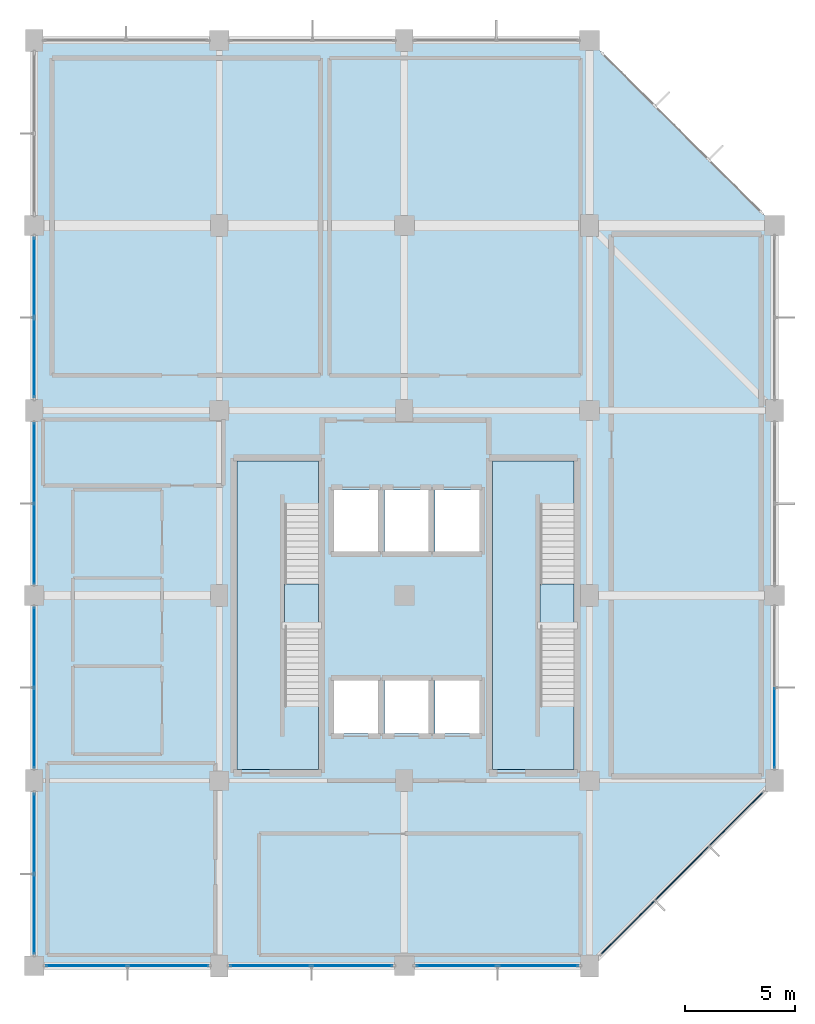
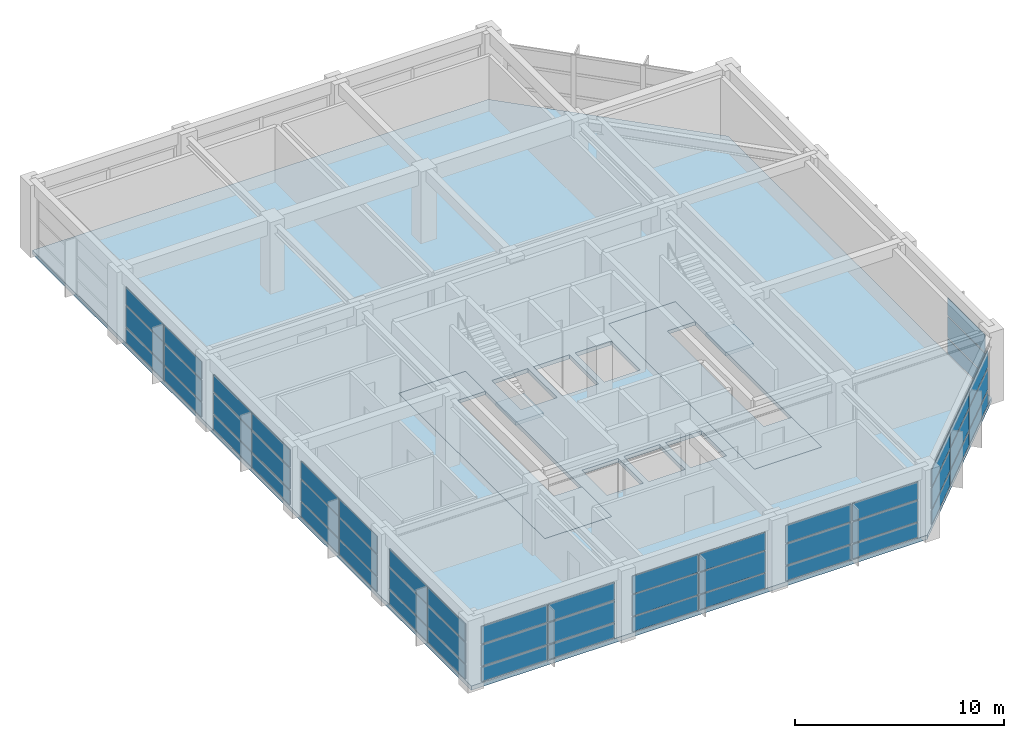
# One storey, part 8 of 12: 54 plates, 5 slabs, 11 elements without a shape of their own.
"""IFC4 building model written with IfcOpenShell, lengths in metres."""

from ifc_helpers import new_model, si_unit, direction, frame, origin, origin_2d, place, context, subcontext, project, spatial, polyline, rectangle, outline, extrude, material, layer, layer_set, type_object, element, aggregate, save


model = new_model("IFC4")

# Units and contexts
model_context = context("Model", 3, precision=1e-05, world=origin(), true_north=direction((0.0, 1.0)))
body_context = subcontext(model_context, "Body", "Model", "MODEL_VIEW")
ifc_project = project(units=[si_unit("LENGTHUNIT", "METRE"), si_unit("AREAUNIT", "SQUARE_METRE"), si_unit("VOLUMEUNIT", "CUBIC_METRE"), si_unit("PLANEANGLEUNIT", "RADIAN"), si_unit("MASSUNIT", "GRAM", prefix="KILO")], contexts=[model_context])

# Site, building, storey
site_placement = place(None, origin())
site = spatial("IfcSite", under=ifc_project, at=site_placement, CompositionType="ELEMENT")
building_placement = place(site_placement, origin())
building = spatial("IfcBuilding", under=site, at=building_placement, Name="Xuanlan Plaza Opera House", CompositionType="ELEMENT")
storey_placement = place(building_placement, frame((0.0, 0.0, 65.699951171875)))
storey = spatial("IfcBuildingStorey", under=building, at=storey_placement, Name="L15", CompositionType="ELEMENT", Elevation=65.699951171875)

# Curtain wall, plates
ifc_material_1 = material(Name="Anodised Aluminium 6063-T6 and Low-E Glass", Category="aluminium")
curtain_wall_type_1 = type_object("IfcCurtainWallType", Name="ENV-CW-CW-04", PredefinedType="USERDEFINED", material=ifc_material_1)
curtain_wall_1_placement = place(storey_placement, origin())
curtain_wall_1 = element("IfcCurtainWall", 1, at=curtain_wall_1_placement, inside=storey, type_object=curtain_wall_type_1, Name="Unitised Curtain Wall L15-003", ObjectType="UNITISED CURTAIN WALL", PredefinedType="USERDEFINED")
ifc_material_2 = material(Name="Laminated Acoustic Double Glazing", Category="glass")
ifc_layer_1 = layer(ifc_material_2, 0.028076171875)
ifc_layer_set_1 = layer_set([ifc_layer_1], Name="Laminated Acoustic Double Glazing")
plate_type_1 = type_object("IfcPlateType", Name="ENV-CWP-01", PredefinedType="CURTAIN_PANEL", material=ifc_layer_set_1)
plate_1_placement = place(storey_placement, frame((145.169921875, 42.0, 0.0751953125), z_axis=(0.0, 0.0, 1.0), x_axis=(1.0, 0.0, 0.0)))
plate_1 = element("IfcPlate", 2, at=plate_1_placement, type_object=plate_type_1, Name="CW-04 panel 1.1", PredefinedType="CURTAIN_PANEL", context=body_context, shape_type="SweptSolid", body=[
    extrude(rectangle(XDim=3.6201171875, YDim=0.028076171875, at=origin_2d()), origin(), (0.0, 0.0, 1.0), 0.83740234375),
])
plate_2_placement = place(storey_placement, frame((145.169921875, 42.0, 0.987548828125), z_axis=(0.0, 0.0, 1.0), x_axis=(1.0, 0.0, 0.0)))
plate_2 = element("IfcPlate", 3, at=plate_2_placement, type_object=plate_type_1, Name="CW-04 panel 1.2", PredefinedType="CURTAIN_PANEL", context=body_context, shape_type="SweptSolid", body=[
    extrude(rectangle(XDim=3.6201171875, YDim=0.028076171875, at=origin_2d()), origin(), (0.0, 0.0, 1.0), 1.22509765625),
])
plate_3_placement = place(storey_placement, frame((145.169921875, 42.0, 2.28759765625), z_axis=(0.0, 0.0, 1.0), x_axis=(1.0, 0.0, 0.0)))
plate_3 = element("IfcPlate", 4, at=plate_3_placement, type_object=plate_type_1, Name="CW-04 panel 1.3", PredefinedType="CURTAIN_PANEL", context=body_context, shape_type="SweptSolid", body=[
    extrude(rectangle(XDim=3.6201171875, YDim=0.028076171875, at=origin_2d()), origin(), (0.0, 0.0, 1.0), 1.017578125),
])
plate_4_placement = place(storey_placement, frame((148.8798828125, 42.0, 0.0751953125), z_axis=(0.0, 0.0, 1.0), x_axis=(1.0, 0.0, 0.0)))
plate_4 = element("IfcPlate", 5, at=plate_4_placement, type_object=plate_type_1, Name="CW-04 panel 2.1", PredefinedType="CURTAIN_PANEL", context=body_context, shape_type="SweptSolid", body=[
    extrude(rectangle(XDim=3.6201171875, YDim=0.028076171875, at=origin_2d()), origin(), (0.0, 0.0, 1.0), 0.83740234375),
])
plate_5_placement = place(storey_placement, frame((148.8798828125, 42.0, 0.987548828125), z_axis=(0.0, 0.0, 1.0), x_axis=(1.0, 0.0, 0.0)))
plate_5 = element("IfcPlate", 6, at=plate_5_placement, type_object=plate_type_1, Name="CW-04 panel 2.2", PredefinedType="CURTAIN_PANEL", context=body_context, shape_type="SweptSolid", body=[
    extrude(rectangle(XDim=3.6201171875, YDim=0.028076171875, at=origin_2d()), origin(), (0.0, 0.0, 1.0), 1.22509765625),
])
plate_6_placement = place(storey_placement, frame((148.8798828125, 42.0, 2.28759765625), z_axis=(0.0, 0.0, 1.0), x_axis=(1.0, 0.0, 0.0)))
plate_6 = element("IfcPlate", 7, at=plate_6_placement, type_object=plate_type_1, Name="CW-04 panel 2.3", PredefinedType="CURTAIN_PANEL", context=body_context, shape_type="SweptSolid", body=[
    extrude(rectangle(XDim=3.6201171875, YDim=0.028076171875, at=origin_2d()), origin(), (0.0, 0.0, 1.0), 1.017578125),
])
aggregate(curtain_wall_1, [plate_1, plate_2, plate_3, plate_4, plate_5, plate_6])

curtain_wall_type_2 = type_object("IfcCurtainWallType", Name="ENV-CW-CW-02", PredefinedType="USERDEFINED", material=ifc_material_1)
curtain_wall_2_placement = place(storey_placement, origin())
curtain_wall_2 = element("IfcCurtainWall", 8, at=curtain_wall_2_placement, inside=storey, type_object=curtain_wall_type_2, Name="Unitised Curtain Wall L15-013", ObjectType="UNITISED CURTAIN WALL", PredefinedType="USERDEFINED")
plate_7_placement = place(storey_placement, frame((126.0, 73.2548828125, 0.0751953125), z_axis=(0.0, 0.0, 1.0), x_axis=(0.0, -1.0, 0.0)))
plate_7 = element("IfcPlate", 9, at=plate_7_placement, type_object=plate_type_1, Name="CW-02 panel 1.1", PredefinedType="CURTAIN_PANEL", context=body_context, shape_type="SweptSolid", body=[
    extrude(rectangle(XDim=3.570068359375, YDim=0.028076171875, at=origin_2d()), origin(), (0.0, 0.0, 1.0), 0.83740234375),
])
plate_8_placement = place(storey_placement, frame((126.0, 73.2548828125, 0.987548828125), z_axis=(0.0, 0.0, 1.0), x_axis=(0.0, -1.0, 0.0)))
plate_8 = element("IfcPlate", 10, at=plate_8_placement, type_object=plate_type_1, Name="CW-02 panel 1.2", PredefinedType="CURTAIN_PANEL", context=body_context, shape_type="SweptSolid", body=[
    extrude(rectangle(XDim=3.570068359375, YDim=0.028076171875, at=origin_2d()), origin(), (0.0, 0.0, 1.0), 1.22509765625),
])
plate_9_placement = place(storey_placement, frame((126.0, 73.2548828125, 2.28759765625), z_axis=(0.0, 0.0, 1.0), x_axis=(0.0, -1.0, 0.0)))
plate_9 = element("IfcPlate", 11, at=plate_9_placement, type_object=plate_type_1, Name="CW-02 panel 1.3", PredefinedType="CURTAIN_PANEL", context=body_context, shape_type="SweptSolid", body=[
    extrude(rectangle(XDim=3.570068359375, YDim=0.028076171875, at=origin_2d()), origin(), (0.0, 0.0, 1.0), 1.017578125),
])
plate_10_placement = place(storey_placement, frame((126.0, 69.594970703125, 0.0751953125), z_axis=(0.0, 0.0, 1.0), x_axis=(0.0, -1.0, 0.0)))
plate_10 = element("IfcPlate", 12, at=plate_10_placement, type_object=plate_type_1, Name="CW-02 panel 2.1", PredefinedType="CURTAIN_PANEL", context=body_context, shape_type="SweptSolid", body=[
    extrude(rectangle(XDim=3.570068359375, YDim=0.028076171875, at=origin_2d()), origin(), (0.0, 0.0, 1.0), 0.83740234375),
])
plate_11_placement = place(storey_placement, frame((126.0, 69.594970703125, 0.987548828125), z_axis=(0.0, 0.0, 1.0), x_axis=(0.0, -1.0, 0.0)))
plate_11 = element("IfcPlate", 13, at=plate_11_placement, type_object=plate_type_1, Name="CW-02 panel 2.2", PredefinedType="CURTAIN_PANEL", context=body_context, shape_type="SweptSolid", body=[
    extrude(rectangle(XDim=3.570068359375, YDim=0.028076171875, at=origin_2d()), origin(), (0.0, 0.0, 1.0), 1.22509765625),
])
plate_12_placement = place(storey_placement, frame((126.0, 69.594970703125, 2.28759765625), z_axis=(0.0, 0.0, 1.0), x_axis=(0.0, -1.0, 0.0)))
plate_12 = element("IfcPlate", 14, at=plate_12_placement, type_object=plate_type_1, Name="CW-02 panel 2.3", PredefinedType="CURTAIN_PANEL", context=body_context, shape_type="SweptSolid", body=[
    extrude(rectangle(XDim=3.570068359375, YDim=0.028076171875, at=origin_2d()), origin(), (0.0, 0.0, 1.0), 1.017578125),
])
aggregate(curtain_wall_2, [plate_7, plate_8, plate_9, plate_10, plate_11, plate_12])

curtain_wall_3_placement = place(storey_placement, origin())
curtain_wall_3 = element("IfcCurtainWall", 15, at=curtain_wall_3_placement, inside=storey, type_object=curtain_wall_type_2, Name="Unitised Curtain Wall L15-005", ObjectType="UNITISED CURTAIN WALL", PredefinedType="USERDEFINED")
ifc_layer_2 = layer(ifc_material_2, 0.031982421875)
ifc_layer_set_2 = layer_set([ifc_layer_2], Name="Laminated Acoustic Double Glazing")
plate_type_2 = type_object("IfcPlateType", Name="ENV-CWP-02", PredefinedType="CURTAIN_PANEL", material=ifc_layer_set_2)
plate_13_placement = place(storey_placement, frame((159.60009765625, 52.7900390625, 0.06982421875), z_axis=(0.0, 0.0, 1.0), x_axis=(0.0, 1.0, 0.0)))
plate_13 = element("IfcPlate", 16, at=plate_13_placement, type_object=plate_type_2, Name="CW-02 panel 1.1", PredefinedType="CURTAIN_PANEL", context=body_context, shape_type="SweptSolid", body=[
    extrude(rectangle(XDim=3.60009765625, YDim=0.031982421875, at=origin_2d()), origin(), (0.0, 0.0, 1.0), 0.844970703125),
])
plate_14_placement = place(storey_placement, frame((159.60009765625, 52.7900390625, 0.985107421875), z_axis=(0.0, 0.0, 1.0), x_axis=(0.0, 1.0, 0.0)))
plate_14 = element("IfcPlate", 17, at=plate_14_placement, type_object=plate_type_2, Name="CW-02 panel 1.2", PredefinedType="CURTAIN_PANEL", context=body_context, shape_type="SweptSolid", body=[
    extrude(rectangle(XDim=3.60009765625, YDim=0.031982421875, at=origin_2d()), origin(), (0.0, 0.0, 1.0), 1.22998046875),
])
plate_15_placement = place(storey_placement, frame((159.60009765625, 52.7900390625, 2.28515625), z_axis=(0.0, 0.0, 1.0), x_axis=(0.0, 1.0, 0.0)))
plate_15 = element("IfcPlate", 18, at=plate_15_placement, type_object=plate_type_2, Name="CW-02 panel 1.3", PredefinedType="CURTAIN_PANEL", context=body_context, shape_type="SweptSolid", body=[
    extrude(rectangle(XDim=3.60009765625, YDim=0.031982421875, at=origin_2d()), origin(), (0.0, 0.0, 1.0), 1.02490234375),
])
aggregate(curtain_wall_3, [plate_13, plate_14, plate_15])

curtain_wall_4_placement = place(storey_placement, origin())
curtain_wall_4 = element("IfcCurtainWall", 19, at=curtain_wall_4_placement, inside=storey, type_object=curtain_wall_type_1, Name="Unitised Curtain Wall L15-015", ObjectType="UNITISED CURTAIN WALL", PredefinedType="USERDEFINED")
plate_16_placement = place(storey_placement, frame((126.0, 56.4599609375, 0.06982421875), z_axis=(0.0, 0.0, 1.0), x_axis=(0.0, -1.0, 0.0)))
plate_16 = element("IfcPlate", 20, at=plate_16_placement, type_object=plate_type_2, Name="CW-04 panel 1.1", PredefinedType="CURTAIN_PANEL", context=body_context, shape_type="SweptSolid", body=[
    extrude(rectangle(XDim=3.60009765625, YDim=0.031982421875, at=origin_2d()), origin(), (0.0, 0.0, 1.0), 0.844970703125),
])
plate_17_placement = place(storey_placement, frame((126.0, 56.4599609375, 0.985107421875), z_axis=(0.0, 0.0, 1.0), x_axis=(0.0, -1.0, 0.0)))
plate_17 = element("IfcPlate", 21, at=plate_17_placement, type_object=plate_type_2, Name="CW-04 panel 1.2", PredefinedType="CURTAIN_PANEL", context=body_context, shape_type="SweptSolid", body=[
    extrude(rectangle(XDim=3.60009765625, YDim=0.031982421875, at=origin_2d()), origin(), (0.0, 0.0, 1.0), 1.22998046875),
])
plate_18_placement = place(storey_placement, frame((126.0, 56.4599609375, 2.28515625), z_axis=(0.0, 0.0, 1.0), x_axis=(0.0, -1.0, 0.0)))
plate_18 = element("IfcPlate", 22, at=plate_18_placement, type_object=plate_type_2, Name="CW-04 panel 1.3", PredefinedType="CURTAIN_PANEL", context=body_context, shape_type="SweptSolid", body=[
    extrude(rectangle(XDim=3.60009765625, YDim=0.031982421875, at=origin_2d()), origin(), (0.0, 0.0, 1.0), 1.02490234375),
])
plate_19_placement = place(storey_placement, frame((126.0, 52.7900390625, 0.06982421875), z_axis=(0.0, 0.0, 1.0), x_axis=(0.0, -1.0, 0.0)))
plate_19 = element("IfcPlate", 23, at=plate_19_placement, type_object=plate_type_2, Name="CW-04 panel 2.1", PredefinedType="CURTAIN_PANEL", context=body_context, shape_type="SweptSolid", body=[
    extrude(rectangle(XDim=3.60009765625, YDim=0.031982421875, at=origin_2d()), origin(), (0.0, 0.0, 1.0), 0.844970703125),
])
plate_20_placement = place(storey_placement, frame((126.0, 52.7900390625, 0.985107421875), z_axis=(0.0, 0.0, 1.0), x_axis=(0.0, -1.0, 0.0)))
plate_20 = element("IfcPlate", 24, at=plate_20_placement, type_object=plate_type_2, Name="CW-04 panel 2.2", PredefinedType="CURTAIN_PANEL", context=body_context, shape_type="SweptSolid", body=[
    extrude(rectangle(XDim=3.60009765625, YDim=0.031982421875, at=origin_2d()), origin(), (0.0, 0.0, 1.0), 1.22998046875),
])
plate_21_placement = place(storey_placement, frame((126.0, 52.7900390625, 2.28515625), z_axis=(0.0, 0.0, 1.0), x_axis=(0.0, -1.0, 0.0)))
plate_21 = element("IfcPlate", 25, at=plate_21_placement, type_object=plate_type_2, Name="CW-04 panel 2.3", PredefinedType="CURTAIN_PANEL", context=body_context, shape_type="SweptSolid", body=[
    extrude(rectangle(XDim=3.60009765625, YDim=0.031982421875, at=origin_2d()), origin(), (0.0, 0.0, 1.0), 1.02490234375),
])
aggregate(curtain_wall_4, [plate_16, plate_17, plate_18, plate_19, plate_20, plate_21])

curtain_wall_type_3 = type_object("IfcCurtainWallType", Name="ENV-CW-CW-03", PredefinedType="USERDEFINED", material=ifc_material_1)
curtain_wall_5_placement = place(storey_placement, origin())
curtain_wall_5 = element("IfcCurtainWall", 26, at=curtain_wall_5_placement, inside=storey, type_object=curtain_wall_type_3, Name="Unitised Curtain Wall L15-002", ObjectType="UNITISED CURTAIN WALL", PredefinedType="USERDEFINED")
ifc_layer_3 = layer(ifc_material_2, 0.035888671875)
ifc_layer_set_3 = layer_set([ifc_layer_3], Name="Laminated Acoustic Double Glazing")
plate_type_3 = type_object("IfcPlateType", Name="ENV-CWP-03", PredefinedType="CURTAIN_PANEL", material=ifc_layer_set_3)
plate_22_placement = place(storey_placement, frame((136.717529296875, 42.0, 0.06494140625), z_axis=(0.0, 0.0, 1.0), x_axis=(1.0, 0.0, 0.0)))
plate_22 = element("IfcPlate", 27, at=plate_22_placement, type_object=plate_type_3, Name="CW-03 panel 1.1", PredefinedType="CURTAIN_PANEL", context=body_context, shape_type="SweptSolid", body=[
    extrude(rectangle(XDim=3.635009765625, YDim=0.035888671875, at=origin_2d()), origin(), (0.0, 0.0, 1.0), 0.8525390625),
])
plate_23_placement = place(storey_placement, frame((136.717529296875, 42.0, 0.982421875), z_axis=(0.0, 0.0, 1.0), x_axis=(1.0, 0.0, 0.0)))
plate_23 = element("IfcPlate", 28, at=plate_23_placement, type_object=plate_type_3, Name="CW-03 panel 1.2", PredefinedType="CURTAIN_PANEL", context=body_context, shape_type="SweptSolid", body=[
    extrude(rectangle(XDim=3.635009765625, YDim=0.035888671875, at=origin_2d()), origin(), (0.0, 0.0, 1.0), 1.235107421875),
])
plate_24_placement = place(storey_placement, frame((136.717529296875, 42.0, 2.28271484375), z_axis=(0.0, 0.0, 1.0), x_axis=(1.0, 0.0, 0.0)))
plate_24 = element("IfcPlate", 29, at=plate_24_placement, type_object=plate_type_3, Name="CW-03 panel 1.3", PredefinedType="CURTAIN_PANEL", context=body_context, shape_type="SweptSolid", body=[
    extrude(rectangle(XDim=3.635009765625, YDim=0.035888671875, at=origin_2d()), origin(), (0.0, 0.0, 1.0), 1.032470703125),
])
plate_25_placement = place(storey_placement, frame((140.4326171875, 42.0, 0.06494140625), z_axis=(0.0, 0.0, 1.0), x_axis=(1.0, 0.0, 0.0)))
plate_25 = element("IfcPlate", 30, at=plate_25_placement, type_object=plate_type_3, Name="CW-03 panel 2.1", PredefinedType="CURTAIN_PANEL", context=body_context, shape_type="SweptSolid", body=[
    extrude(rectangle(XDim=3.635009765625, YDim=0.035888671875, at=origin_2d()), origin(), (0.0, 0.0, 1.0), 0.8525390625),
])
plate_26_placement = place(storey_placement, frame((140.4326171875, 42.0, 0.982421875), z_axis=(0.0, 0.0, 1.0), x_axis=(1.0, 0.0, 0.0)))
plate_26 = element("IfcPlate", 31, at=plate_26_placement, type_object=plate_type_3, Name="CW-03 panel 2.2", PredefinedType="CURTAIN_PANEL", context=body_context, shape_type="SweptSolid", body=[
    extrude(rectangle(XDim=3.635009765625, YDim=0.035888671875, at=origin_2d()), origin(), (0.0, 0.0, 1.0), 1.235107421875),
])
plate_27_placement = place(storey_placement, frame((140.4326171875, 42.0, 2.28271484375), z_axis=(0.0, 0.0, 1.0), x_axis=(1.0, 0.0, 0.0)))
plate_27 = element("IfcPlate", 32, at=plate_27_placement, type_object=plate_type_3, Name="CW-03 panel 2.3", PredefinedType="CURTAIN_PANEL", context=body_context, shape_type="SweptSolid", body=[
    extrude(rectangle(XDim=3.635009765625, YDim=0.035888671875, at=origin_2d()), origin(), (0.0, 0.0, 1.0), 1.032470703125),
])
aggregate(curtain_wall_5, [plate_22, plate_23, plate_24, plate_25, plate_26, plate_27])

curtain_wall_type_4 = type_object("IfcCurtainWallType", Name="ENV-CW-CW-01", PredefinedType="USERDEFINED", material=ifc_material_1)
curtain_wall_6_placement = place(storey_placement, origin())
curtain_wall_6 = element("IfcCurtainWall", 33, at=curtain_wall_6_placement, inside=storey, type_object=curtain_wall_type_4, Name="Unitised Curtain Wall L15-004", ObjectType="UNITISED CURTAIN WALL", PredefinedType="USERDEFINED")
ifc_layer_4 = layer(ifc_material_2, 0.0400390625)
ifc_layer_set_4 = layer_set([ifc_layer_4], Name="Laminated Acoustic Double Glazing")
plate_type_4 = type_object("IfcPlateType", Name="ENV-CWP-04", PredefinedType="CURTAIN_PANEL", material=ifc_layer_set_4)
plate_28_placement = place(storey_placement, frame((152.944091796875, 43.744140625, 0.090087890625), z_axis=(0.0, 0.0, 1.0), x_axis=(0.707106781187, 0.707106781187, 0.0)))
plate_28 = element("IfcPlate", 34, at=plate_28_placement, type_object=plate_type_4, Name="CW-01 panel 1.1", PredefinedType="CURTAIN_PANEL", context=body_context, shape_type="SweptSolid", body=[
    extrude(rectangle(XDim=3.391845703125, YDim=0.0400390625, at=origin_2d()), origin(), (0.0, 0.0, 1.0), 0.81494140625),
])
plate_29_placement = place(storey_placement, frame((152.944091796875, 43.744140625, 0.9951171875), z_axis=(0.0, 0.0, 1.0), x_axis=(0.707106781187, 0.707106781187, 0.0)))
plate_29 = element("IfcPlate", 35, at=plate_29_placement, type_object=plate_type_4, Name="CW-01 panel 1.2", PredefinedType="CURTAIN_PANEL", context=body_context, shape_type="SweptSolid", body=[
    extrude(rectangle(XDim=3.391845703125, YDim=0.0400390625, at=origin_2d()), origin(), (0.0, 0.0, 1.0), 1.2099609375),
])
plate_30_placement = place(storey_placement, frame((152.944091796875, 43.744140625, 2.294921875), z_axis=(0.0, 0.0, 1.0), x_axis=(0.707106781187, 0.707106781187, 0.0)))
plate_30 = element("IfcPlate", 36, at=plate_30_placement, type_object=plate_type_4, Name="CW-01 panel 1.3", PredefinedType="CURTAIN_PANEL", context=body_context, shape_type="SweptSolid", body=[
    extrude(rectangle(XDim=3.391845703125, YDim=0.0400390625, at=origin_2d()), origin(), (0.0, 0.0, 1.0), 0.9951171875),
])
plate_31_placement = place(storey_placement, frame((155.39990234375, 46.199951171875, 0.090087890625), z_axis=(0.0, 0.0, 1.0), x_axis=(0.707106781187, 0.707106781187, 0.0)))
plate_31 = element("IfcPlate", 37, at=plate_31_placement, type_object=plate_type_4, Name="CW-01 panel 2.1", PredefinedType="CURTAIN_PANEL", context=body_context, shape_type="SweptSolid", body=[
    extrude(rectangle(XDim=3.42431640625, YDim=0.0400390625, at=origin_2d()), origin(), (0.0, 0.0, 1.0), 0.81494140625),
])
plate_32_placement = place(storey_placement, frame((155.39990234375, 46.199951171875, 0.9951171875), z_axis=(0.0, 0.0, 1.0), x_axis=(0.707106781187, 0.707106781187, 0.0)))
plate_32 = element("IfcPlate", 38, at=plate_32_placement, type_object=plate_type_4, Name="CW-01 panel 2.2", PredefinedType="CURTAIN_PANEL", context=body_context, shape_type="SweptSolid", body=[
    extrude(rectangle(XDim=3.42431640625, YDim=0.0400390625, at=origin_2d()), origin(), (0.0, 0.0, 1.0), 1.2099609375),
])
plate_33_placement = place(storey_placement, frame((155.39990234375, 46.199951171875, 2.294921875), z_axis=(0.0, 0.0, 1.0), x_axis=(0.707106781187, 0.707106781187, 0.0)))
plate_33 = element("IfcPlate", 39, at=plate_33_placement, type_object=plate_type_4, Name="CW-01 panel 2.3", PredefinedType="CURTAIN_PANEL", context=body_context, shape_type="SweptSolid", body=[
    extrude(rectangle(XDim=3.42431640625, YDim=0.0400390625, at=origin_2d()), origin(), (0.0, 0.0, 1.0), 0.9951171875),
])
plate_34_placement = place(storey_placement, frame((157.85595703125, 48.65576171875, 0.090087890625), z_axis=(0.0, 0.0, 1.0), x_axis=(0.707106781187, 0.707106781187, 0.0)))
plate_34 = element("IfcPlate", 40, at=plate_34_placement, type_object=plate_type_4, Name="CW-01 panel 3.1", PredefinedType="CURTAIN_PANEL", context=body_context, shape_type="SweptSolid", body=[
    extrude(rectangle(XDim=3.391845703125, YDim=0.0400390625, at=origin_2d()), origin(), (0.0, 0.0, 1.0), 0.81494140625),
])
plate_35_placement = place(storey_placement, frame((157.85595703125, 48.65576171875, 0.9951171875), z_axis=(0.0, 0.0, 1.0), x_axis=(0.707106781187, 0.707106781187, 0.0)))
plate_35 = element("IfcPlate", 41, at=plate_35_placement, type_object=plate_type_4, Name="CW-01 panel 3.2", PredefinedType="CURTAIN_PANEL", context=body_context, shape_type="SweptSolid", body=[
    extrude(rectangle(XDim=3.391845703125, YDim=0.0400390625, at=origin_2d()), origin(), (0.0, 0.0, 1.0), 1.2099609375),
])
plate_36_placement = place(storey_placement, frame((157.85595703125, 48.65576171875, 2.294921875), z_axis=(0.0, 0.0, 1.0), x_axis=(0.707106781187, 0.707106781187, 0.0)))
plate_36 = element("IfcPlate", 42, at=plate_36_placement, type_object=plate_type_4, Name="CW-01 panel 3.3", PredefinedType="CURTAIN_PANEL", context=body_context, shape_type="SweptSolid", body=[
    extrude(rectangle(XDim=3.391845703125, YDim=0.0400390625, at=origin_2d()), origin(), (0.0, 0.0, 1.0), 0.9951171875),
])
aggregate(curtain_wall_6, [plate_28, plate_29, plate_30, plate_31, plate_32, plate_33, plate_34, plate_35, plate_36])

curtain_wall_7_placement = place(storey_placement, origin())
curtain_wall_7 = element("IfcCurtainWall", 43, at=curtain_wall_7_placement, inside=storey, type_object=curtain_wall_type_3, Name="Unitised Curtain Wall L15-014", ObjectType="UNITISED CURTAIN WALL", PredefinedType="USERDEFINED")
plate_37_placement = place(storey_placement, frame((126.0, 64.811279296875, 0.090087890625), z_axis=(0.0, 0.0, 1.0), x_axis=(0.0, -1.0, 0.0)))
plate_37 = element("IfcPlate", 44, at=plate_37_placement, type_object=plate_type_4, Name="CW-03 panel 1.1", PredefinedType="CURTAIN_PANEL", context=body_context, shape_type="SweptSolid", body=[
    extrude(rectangle(XDim=3.607421875, YDim=0.0400390625, at=origin_2d()), origin(), (0.0, 0.0, 1.0), 0.81494140625),
])
plate_38_placement = place(storey_placement, frame((126.0, 64.811279296875, 0.9951171875), z_axis=(0.0, 0.0, 1.0), x_axis=(0.0, -1.0, 0.0)))
plate_38 = element("IfcPlate", 45, at=plate_38_placement, type_object=plate_type_4, Name="CW-03 panel 1.2", PredefinedType="CURTAIN_PANEL", context=body_context, shape_type="SweptSolid", body=[
    extrude(rectangle(XDim=3.607421875, YDim=0.0400390625, at=origin_2d()), origin(), (0.0, 0.0, 1.0), 1.2099609375),
])
plate_39_placement = place(storey_placement, frame((126.0, 64.811279296875, 2.294921875), z_axis=(0.0, 0.0, 1.0), x_axis=(0.0, -1.0, 0.0)))
plate_39 = element("IfcPlate", 46, at=plate_39_placement, type_object=plate_type_4, Name="CW-03 panel 1.3", PredefinedType="CURTAIN_PANEL", context=body_context, shape_type="SweptSolid", body=[
    extrude(rectangle(XDim=3.607421875, YDim=0.0400390625, at=origin_2d()), origin(), (0.0, 0.0, 1.0), 0.9951171875),
])
plate_40_placement = place(storey_placement, frame((126.0, 61.138671875, 0.090087890625), z_axis=(0.0, 0.0, 1.0), x_axis=(0.0, -1.0, 0.0)))
plate_40 = element("IfcPlate", 47, at=plate_40_placement, type_object=plate_type_4, Name="CW-03 panel 2.1", PredefinedType="CURTAIN_PANEL", context=body_context, shape_type="SweptSolid", body=[
    extrude(rectangle(XDim=3.607421875, YDim=0.0400390625, at=origin_2d()), origin(), (0.0, 0.0, 1.0), 0.81494140625),
])
plate_41_placement = place(storey_placement, frame((126.0, 61.138671875, 0.9951171875), z_axis=(0.0, 0.0, 1.0), x_axis=(0.0, -1.0, 0.0)))
plate_41 = element("IfcPlate", 48, at=plate_41_placement, type_object=plate_type_4, Name="CW-03 panel 2.2", PredefinedType="CURTAIN_PANEL", context=body_context, shape_type="SweptSolid", body=[
    extrude(rectangle(XDim=3.607421875, YDim=0.0400390625, at=origin_2d()), origin(), (0.0, 0.0, 1.0), 1.2099609375),
])
plate_42_placement = place(storey_placement, frame((126.0, 61.138671875, 2.294921875), z_axis=(0.0, 0.0, 1.0), x_axis=(0.0, -1.0, 0.0)))
plate_42 = element("IfcPlate", 49, at=plate_42_placement, type_object=plate_type_4, Name="CW-03 panel 2.3", PredefinedType="CURTAIN_PANEL", context=body_context, shape_type="SweptSolid", body=[
    extrude(rectangle(XDim=3.607421875, YDim=0.0400390625, at=origin_2d()), origin(), (0.0, 0.0, 1.0), 0.9951171875),
])
aggregate(curtain_wall_7, [plate_37, plate_38, plate_39, plate_40, plate_41, plate_42])

curtain_wall_8_placement = place(storey_placement, origin())
curtain_wall_8 = element("IfcCurtainWall", 50, at=curtain_wall_8_placement, inside=storey, type_object=curtain_wall_type_2, Name="Unitised Curtain Wall L15-001", ObjectType="UNITISED CURTAIN WALL", PredefinedType="USERDEFINED")
ifc_layer_5 = layer(ifc_material_2, 0.0439453125)
ifc_layer_set_5 = layer_set([ifc_layer_5], Name="Laminated Acoustic Double Glazing")
plate_type_5 = type_object("IfcPlateType", Name="ENV-CWP-05", PredefinedType="CURTAIN_PANEL", material=ifc_layer_set_5)
plate_43_placement = place(storey_placement, frame((128.3662109375, 42.0, 0.080078125), z_axis=(0.0, 0.0, 1.0), x_axis=(1.0, 0.0, 0.0)))
plate_43 = element("IfcPlate", 51, at=plate_43_placement, type_object=plate_type_5, Name="CW-02 panel 1.1", PredefinedType="CURTAIN_PANEL", context=body_context, shape_type="SweptSolid", body=[
    extrude(rectangle(XDim=3.642578125, YDim=0.0439453125, at=origin_2d()), origin(), (0.0, 0.0, 1.0), 0.830078125),
])
plate_44_placement = place(storey_placement, frame((128.3662109375, 42.0, 0.990234375), z_axis=(0.0, 0.0, 1.0), x_axis=(1.0, 0.0, 0.0)))
plate_44 = element("IfcPlate", 52, at=plate_44_placement, type_object=plate_type_5, Name="CW-02 panel 1.2", PredefinedType="CURTAIN_PANEL", context=body_context, shape_type="SweptSolid", body=[
    extrude(rectangle(XDim=3.642578125, YDim=0.0439453125, at=origin_2d()), origin(), (0.0, 0.0, 1.0), 1.219970703125),
])
plate_45_placement = place(storey_placement, frame((128.3662109375, 42.0, 2.2900390625), z_axis=(0.0, 0.0, 1.0), x_axis=(1.0, 0.0, 0.0)))
plate_45 = element("IfcPlate", 53, at=plate_45_placement, type_object=plate_type_5, Name="CW-02 panel 1.3", PredefinedType="CURTAIN_PANEL", context=body_context, shape_type="SweptSolid", body=[
    extrude(rectangle(XDim=3.642578125, YDim=0.0439453125, at=origin_2d()), origin(), (0.0, 0.0, 1.0), 1.010009765625),
])
plate_46_placement = place(storey_placement, frame((132.083740234375, 42.0, 0.080078125), z_axis=(0.0, 0.0, 1.0), x_axis=(1.0, 0.0, 0.0)))
plate_46 = element("IfcPlate", 54, at=plate_46_placement, type_object=plate_type_5, Name="CW-02 panel 2.1", PredefinedType="CURTAIN_PANEL", context=body_context, shape_type="SweptSolid", body=[
    extrude(rectangle(XDim=3.642578125, YDim=0.0439453125, at=origin_2d()), origin(), (0.0, 0.0, 1.0), 0.830078125),
])
plate_47_placement = place(storey_placement, frame((132.083740234375, 42.0, 0.990234375), z_axis=(0.0, 0.0, 1.0), x_axis=(1.0, 0.0, 0.0)))
plate_47 = element("IfcPlate", 55, at=plate_47_placement, type_object=plate_type_5, Name="CW-02 panel 2.2", PredefinedType="CURTAIN_PANEL", context=body_context, shape_type="SweptSolid", body=[
    extrude(rectangle(XDim=3.642578125, YDim=0.0439453125, at=origin_2d()), origin(), (0.0, 0.0, 1.0), 1.219970703125),
])
plate_48_placement = place(storey_placement, frame((132.083740234375, 42.0, 2.2900390625), z_axis=(0.0, 0.0, 1.0), x_axis=(1.0, 0.0, 0.0)))
plate_48 = element("IfcPlate", 56, at=plate_48_placement, type_object=plate_type_5, Name="CW-02 panel 2.3", PredefinedType="CURTAIN_PANEL", context=body_context, shape_type="SweptSolid", body=[
    extrude(rectangle(XDim=3.642578125, YDim=0.0439453125, at=origin_2d()), origin(), (0.0, 0.0, 1.0), 1.010009765625),
])
aggregate(curtain_wall_8, [plate_43, plate_44, plate_45, plate_46, plate_47, plate_48])

curtain_wall_9_placement = place(storey_placement, origin())
curtain_wall_9 = element("IfcCurtainWall", 57, at=curtain_wall_9_placement, inside=storey, type_object=curtain_wall_type_4, Name="Unitised Curtain Wall L15-016", ObjectType="UNITISED CURTAIN WALL", PredefinedType="USERDEFINED")
plate_49_placement = place(storey_placement, frame((126.0, 48.0087890625, 0.080078125), z_axis=(0.0, 0.0, 1.0), x_axis=(0.0, -1.0, 0.0)))
plate_49 = element("IfcPlate", 58, at=plate_49_placement, type_object=plate_type_5, Name="CW-01 panel 1.1", PredefinedType="CURTAIN_PANEL", context=body_context, shape_type="SweptSolid", body=[
    extrude(rectangle(XDim=3.592529296875, YDim=0.0439453125, at=origin_2d()), origin(), (0.0, 0.0, 1.0), 0.830078125),
])
plate_50_placement = place(storey_placement, frame((126.0, 48.0087890625, 0.990234375), z_axis=(0.0, 0.0, 1.0), x_axis=(0.0, -1.0, 0.0)))
plate_50 = element("IfcPlate", 59, at=plate_50_placement, type_object=plate_type_5, Name="CW-01 panel 1.2", PredefinedType="CURTAIN_PANEL", context=body_context, shape_type="SweptSolid", body=[
    extrude(rectangle(XDim=3.592529296875, YDim=0.0439453125, at=origin_2d()), origin(), (0.0, 0.0, 1.0), 1.219970703125),
])
plate_51_placement = place(storey_placement, frame((126.0, 48.0087890625, 2.2900390625), z_axis=(0.0, 0.0, 1.0), x_axis=(0.0, -1.0, 0.0)))
plate_51 = element("IfcPlate", 60, at=plate_51_placement, type_object=plate_type_5, Name="CW-01 panel 1.3", PredefinedType="CURTAIN_PANEL", context=body_context, shape_type="SweptSolid", body=[
    extrude(rectangle(XDim=3.592529296875, YDim=0.0439453125, at=origin_2d()), origin(), (0.0, 0.0, 1.0), 1.010009765625),
])
plate_52_placement = place(storey_placement, frame((126.0, 44.34130859375, 0.080078125), z_axis=(0.0, 0.0, 1.0), x_axis=(0.0, -1.0, 0.0)))
plate_52 = element("IfcPlate", 61, at=plate_52_placement, type_object=plate_type_5, Name="CW-01 panel 2.1", PredefinedType="CURTAIN_PANEL", context=body_context, shape_type="SweptSolid", body=[
    extrude(rectangle(XDim=3.592529296875, YDim=0.0439453125, at=origin_2d()), origin(), (0.0, 0.0, 1.0), 0.830078125),
])
plate_53_placement = place(storey_placement, frame((126.0, 44.34130859375, 0.990234375), z_axis=(0.0, 0.0, 1.0), x_axis=(0.0, -1.0, 0.0)))
plate_53 = element("IfcPlate", 62, at=plate_53_placement, type_object=plate_type_5, Name="CW-01 panel 2.2", PredefinedType="CURTAIN_PANEL", context=body_context, shape_type="SweptSolid", body=[
    extrude(rectangle(XDim=3.592529296875, YDim=0.0439453125, at=origin_2d()), origin(), (0.0, 0.0, 1.0), 1.219970703125),
])
plate_54_placement = place(storey_placement, frame((126.0, 44.34130859375, 2.2900390625), z_axis=(0.0, 0.0, 1.0), x_axis=(0.0, -1.0, 0.0)))
plate_54 = element("IfcPlate", 63, at=plate_54_placement, type_object=plate_type_5, Name="CW-01 panel 2.3", PredefinedType="CURTAIN_PANEL", context=body_context, shape_type="SweptSolid", body=[
    extrude(rectangle(XDim=3.592529296875, YDim=0.0439453125, at=origin_2d()), origin(), (0.0, 0.0, 1.0), 1.010009765625),
])
aggregate(curtain_wall_9, [plate_49, plate_50, plate_51, plate_52, plate_53, plate_54])

# Stair, slabs
ifc_material_3 = material(Name="Concrete C40", Category="concrete")
stair_type = type_object("IfcStairType", Name="INT-ST-STR-T155", PredefinedType="STRAIGHT_RUN_STAIR", material=ifc_material_3)
stair_1_placement = place(storey_placement, origin())
stair_1 = element("IfcStair", 64, at=stair_1_placement, inside=storey, type_object=stair_type, Name="Protected Exit Stair ST-T1 L15", PredefinedType="STRAIGHT_RUN_STAIR")
ifc_layer_6 = layer(ifc_material_3, 0.199951171875)
ifc_layer_set_6 = layer_set([ifc_layer_6], Name="Concrete C40")
slab_type_1 = type_object("IfcSlabType", Name="INT-SLB-LND-20", PredefinedType="LANDING", material=ifc_layer_set_6)
slab_1_placement = place(storey_placement, frame((0.0, 0.0, 1.900146484375)))
slab_1 = element("IfcSlab", 65, at=slab_1_placement, type_object=slab_type_1, Name="ST-T1-L15 landing 1", PredefinedType="LANDING", context=body_context, shape_type="SweptSolid", body=[
    extrude(outline(polyline([(137.35009765625, 57.419921875), (138.89990234375, 57.419921875), (138.89990234375, 59.320068359375), (137.35009765625, 59.320068359375), (137.35009765625, 57.419921875)])), origin(), (0.0, 0.0, 1.0), 0.199951171875),
])
slab_2_placement = place(storey_placement, frame((0.0, 0.0, -0.199951171875)))
slab_2 = element("IfcSlab", 66, at=slab_2_placement, type_object=slab_type_1, Name="ST-T1-L15 landing 2", PredefinedType="LANDING", context=body_context, shape_type="SweptSolid", body=[
    extrude(outline(polyline([(135.199951171875, 50.89990234375), (138.89990234375, 50.89990234375), (138.89990234375, 53.764892578125), (137.35009765625, 53.764892578125), (137.35009765625, 62.97509765625), (138.89990234375, 62.97509765625), (138.89990234375, 64.89990234375), (135.199951171875, 64.89990234375), (135.199951171875, 50.89990234375)])), origin(), (0.0, 0.0, 1.0), 0.199951171875),
])
aggregate(stair_1, [slab_1, slab_2])

stair_2_placement = place(storey_placement, origin())
stair_2 = element("IfcStair", 67, at=stair_2_placement, inside=storey, type_object=stair_type, Name="Protected Exit Stair ST-T2 L15", PredefinedType="STRAIGHT_RUN_STAIR")
slab_3_placement = place(storey_placement, frame((0.0, 0.0, 1.900146484375)))
slab_3 = element("IfcSlab", 68, at=slab_3_placement, type_object=slab_type_1, Name="ST-T2-L15 landing 1", PredefinedType="LANDING", context=body_context, shape_type="SweptSolid", body=[
    extrude(outline(polyline([(148.949951171875, 57.419921875), (150.5, 57.419921875), (150.5, 59.320068359375), (148.949951171875, 59.320068359375), (148.949951171875, 57.419921875)])), origin(), (0.0, 0.0, 1.0), 0.199951171875),
])
slab_4_placement = place(storey_placement, frame((0.0, 0.0, -0.199951171875)))
slab_4 = element("IfcSlab", 69, at=slab_4_placement, type_object=slab_type_1, Name="ST-T2-L15 landing 2", PredefinedType="LANDING", context=body_context, shape_type="SweptSolid", body=[
    extrude(outline(polyline([(146.800048828125, 50.89990234375), (150.5, 50.89990234375), (150.5, 53.764892578125), (148.949951171875, 53.764892578125), (148.949951171875, 62.97509765625), (150.5, 62.97509765625), (150.5, 64.89990234375), (146.800048828125, 64.89990234375), (146.800048828125, 50.89990234375)])), origin(), (0.0, 0.0, 1.0), 0.199951171875),
])
aggregate(stair_2, [slab_3, slab_4])

# Slab
ifc_layer_7 = layer(ifc_material_3, 0.239990234375)
ifc_layer_set_7 = layer_set([ifc_layer_7], Name="Concrete C40")
slab_type_2 = type_object("IfcSlabType", Name="STR-SLB-SL-03", PredefinedType="FLOOR", material=ifc_layer_set_7)
slab_5_placement = place(storey_placement, frame((0.0, 0.0, -0.239990234375)))
element("IfcSlab", 70, at=slab_5_placement, inside=storey, type_object=slab_type_2, Name="Storey L15 Structural Floor Slab", PredefinedType="FLOOR", context=body_context, shape_type="SweptSolid", body=[
    extrude(outline(polyline([(126.0, 42.0), (151.199951171875, 42.0), (159.60009765625, 50.39990234375), (159.60009765625, 75.60009765625), (151.199951171875, 84.0), (126.0, 84.0), (126.0, 42.0)]), holes=[polyline([(135.199951171875, 50.89990234375), (138.89990234375, 50.89990234375), (138.89990234375, 64.89990234375), (135.199951171875, 64.89990234375), (135.199951171875, 50.89990234375)]), polyline([(146.800048828125, 50.89990234375), (150.5, 50.89990234375), (150.5, 64.89990234375), (146.800048828125, 64.89990234375), (146.800048828125, 50.89990234375)]), polyline([(139.60009765625, 60.800048828125), (141.60009765625, 60.800048828125), (141.60009765625, 63.60009765625), (139.60009765625, 63.60009765625), (139.60009765625, 60.800048828125)]), polyline([(141.89990234375, 60.800048828125), (143.89990234375, 60.800048828125), (143.89990234375, 63.60009765625), (141.89990234375, 63.60009765625), (141.89990234375, 60.800048828125)]), polyline([(144.199951171875, 60.800048828125), (146.199951171875, 60.800048828125), (146.199951171875, 63.60009765625), (144.199951171875, 63.60009765625), (144.199951171875, 60.800048828125)]), polyline([(139.60009765625, 52.550048828125), (141.60009765625, 52.550048828125), (141.60009765625, 54.949951171875), (139.60009765625, 54.949951171875), (139.60009765625, 52.550048828125)]), polyline([(141.89990234375, 52.550048828125), (143.89990234375, 52.550048828125), (143.89990234375, 54.949951171875), (141.89990234375, 54.949951171875), (141.89990234375, 52.550048828125)]), polyline([(144.199951171875, 52.550048828125), (146.199951171875, 52.550048828125), (146.199951171875, 54.949951171875), (144.199951171875, 54.949951171875), (144.199951171875, 52.550048828125)])]), origin(), (0.0, 0.0, 1.0), 0.239990234375),
])

save(model, "model.ifc")
